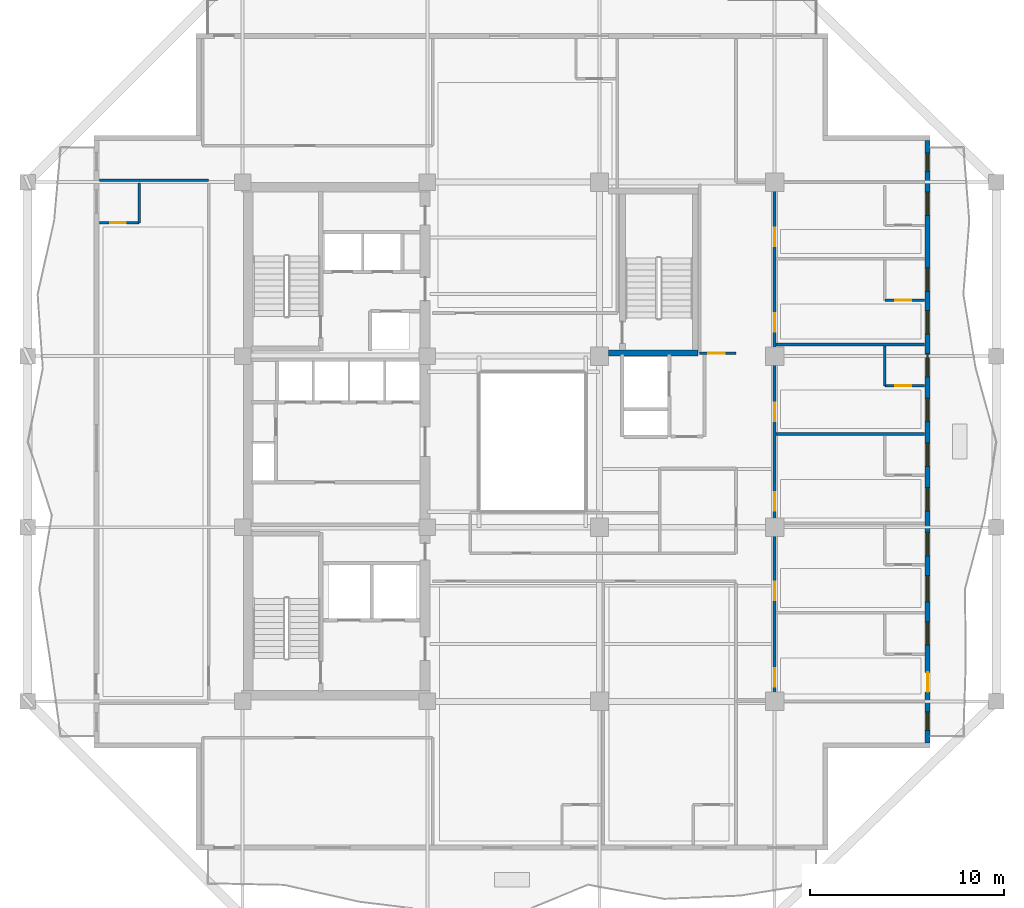
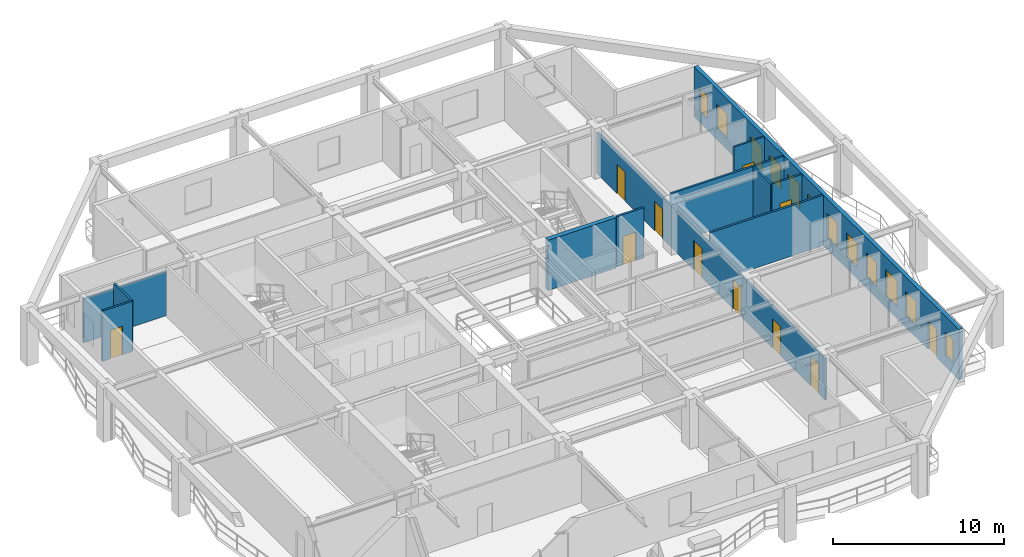
# One storey, part 5 of 13: 12 walls, 12 windows, 11 doors, 23 openings.
"""IFC4 building model written with IfcOpenShell, lengths in metres."""

from ifc_helpers import new_model, si_unit, direction, frame, frame_2d, origin, place, context, subcontext, project, spatial, rectangle, extrude, material, layer, layer_set, type_object, element, fill, save


model = new_model("IFC4")

# Units and contexts
model_context = context("Model", 3, precision=1e-05, world=origin(), true_north=direction((0.0, 1.0)))
body_context = subcontext(model_context, "Body", "Model", "MODEL_VIEW")
ifc_project = project(units=[si_unit("LENGTHUNIT", "METRE"), si_unit("AREAUNIT", "SQUARE_METRE"), si_unit("VOLUMEUNIT", "CUBIC_METRE"), si_unit("PLANEANGLEUNIT", "RADIAN"), si_unit("MASSUNIT", "GRAM", prefix="KILO")], contexts=[model_context])

# Site, building, storey
site_placement = place(None, origin())
site = spatial("IfcSite", under=ifc_project, at=site_placement, CompositionType="ELEMENT")
building_placement = place(site_placement, origin())
building = spatial("IfcBuilding", under=site, at=building_placement, Name="Kundavana Baori Tower", CompositionType="ELEMENT")
storey_placement = place(building_placement, frame((0.0, 0.0, 184.85009765625)))
storey = spatial("IfcBuildingStorey", under=building, at=storey_placement, Name="L45", CompositionType="ELEMENT", Elevation=184.85009765625)

# Wall, openings, door, windows
ifc_material_1 = material(Name="Kiln-Fired Terracotta Brick-Slip Masonry on Concrete C40/50", Category="masonry")
ifc_layer_1 = layer(ifc_material_1, 0.260009765625, Name="WL-EXT-BRK-260")
ifc_layer_set_1 = layer_set([ifc_layer_1], Name="Kiln-Fired Terracotta Brick-Slip Masonry on Concrete C40/50")
wall_type_1 = type_object("IfcWallType", Name="WL-EXT-BRK-260", PredefinedType="SOLIDWALL", material=ifc_layer_set_1)
wall_1_placement = place(storey_placement, frame((50.669921875, 13.110107421875, 0.0), z_axis=(0.0, 0.0, 1.0), x_axis=(0.0, 1.0, 0.0)))
wall_1 = element("IfcWall", 1, at=wall_1_placement, inside=storey, type_object=wall_type_1, Name="L45 Exterior Insulated Facade Wall 04", PredefinedType="SOLIDWALL", context=body_context, shape_type="SweptSolid", body=[
    extrude(rectangle(XDim=30.97998046875, YDim=0.260009765625, at=frame_2d((15.489990234375, 0.0))), origin(), (0.0, 0.0, 1.0), 3.599853515625),
])
opening_1_placement = place(wall_1_placement, frame((0.64990234375, 0.0, 0.800048828125)))
opening_1 = element("IfcOpeningElement", 2, at=opening_1_placement, cuts=wall_1, Name="Opening W-13", PredefinedType="OPENING", context=body_context, shape_type="SweptSolid", body=[
    extrude(rectangle(XDim=0.949951171875, YDim=1.64990234375, at=frame_2d((0.47509765625, 0.824951171875))), frame((0.0, 0.14013671875, 0.0), z_axis=(0.0, -1.0, 0.0), x_axis=(1.0, 0.0, 0.0)), (0.0, 0.0, 1.0), 0.280029296875),
])
opening_2_placement = place(wall_1_placement, frame((2.6298828125, 0.0, 0.0)))
opening_2 = element("IfcOpeningElement", 3, at=opening_2_placement, cuts=wall_1, Name="Opening BD-1", PredefinedType="OPENING", context=body_context, shape_type="SweptSolid", body=[
    extrude(rectangle(XDim=1.0, YDim=2.050048828125, at=frame_2d((0.5, 1.02490234375))), frame((0.0, 0.14013671875, 0.0), z_axis=(0.0, -1.0, 0.0), x_axis=(1.0, 0.0, 0.0)), (0.0, 0.0, 1.0), 0.280029296875),
])
opening_3_placement = place(wall_1_placement, frame((5.02490234375, 0.0, 0.800048828125)))
opening_3 = element("IfcOpeningElement", 4, at=opening_3_placement, cuts=wall_1, Name="Opening W-03", PredefinedType="OPENING", context=body_context, shape_type="SweptSolid", body=[
    extrude(rectangle(XDim=1.199951171875, YDim=1.75, at=frame_2d((0.60009765625, 0.875))), frame((0.0, 0.14013671875, 0.0), z_axis=(0.0, -1.0, 0.0), x_axis=(1.0, 0.0, 0.0)), (0.0, 0.0, 1.0), 0.280029296875),
])
opening_4_placement = place(wall_1_placement, frame((7.25, 0.0, 0.800048828125)))
opening_4 = element("IfcOpeningElement", 5, at=opening_4_placement, cuts=wall_1, Name="Opening W-07", PredefinedType="OPENING", context=body_context, shape_type="SweptSolid", body=[
    extrude(rectangle(XDim=1.35009765625, YDim=1.89990234375, at=frame_2d((0.675048828125, 0.949951171875))), frame((0.0, 0.14013671875, 0.0), z_axis=(0.0, -1.0, 0.0), x_axis=(1.0, 0.0, 0.0)), (0.0, 0.0, 1.0), 0.280029296875),
])
opening_5_placement = place(wall_1_placement, frame((9.625, 0.0, 0.800048828125)))
opening_5 = element("IfcOpeningElement", 6, at=opening_5_placement, cuts=wall_1, Name="Opening W-03", PredefinedType="OPENING", context=body_context, shape_type="SweptSolid", body=[
    extrude(rectangle(XDim=1.199951171875, YDim=1.75, at=frame_2d((0.60009765625, 0.875))), frame((0.0, 0.14013671875, 0.0), z_axis=(0.0, -1.0, 0.0), x_axis=(1.0, 0.0, 0.0)), (0.0, 0.0, 1.0), 0.280029296875),
])
opening_6_placement = place(wall_1_placement, frame((11.925048828125, 0.0, 0.800048828125)))
opening_6 = element("IfcOpeningElement", 7, at=opening_6_placement, cuts=wall_1, Name="Opening W-03", PredefinedType="OPENING", context=body_context, shape_type="SweptSolid", body=[
    extrude(rectangle(XDim=1.199951171875, YDim=1.75, at=frame_2d((0.60009765625, 0.875))), frame((0.0, 0.14013671875, 0.0), z_axis=(0.0, -1.0, 0.0), x_axis=(1.0, 0.0, 0.0)), (0.0, 0.0, 1.0), 0.280029296875),
])
opening_7_placement = place(wall_1_placement, frame((14.22509765625, 0.0, 0.800048828125)))
opening_7 = element("IfcOpeningElement", 8, at=opening_7_placement, cuts=wall_1, Name="Opening W-03", PredefinedType="OPENING", context=body_context, shape_type="SweptSolid", body=[
    extrude(rectangle(XDim=1.199951171875, YDim=1.75, at=frame_2d((0.60009765625, 0.875))), frame((0.0, 0.14013671875, 0.0), z_axis=(0.0, -1.0, 0.0), x_axis=(1.0, 0.0, 0.0)), (0.0, 0.0, 1.0), 0.280029296875),
])
opening_8_placement = place(wall_1_placement, frame((16.52490234375, 0.0, 0.800048828125)))
opening_8 = element("IfcOpeningElement", 9, at=opening_8_placement, cuts=wall_1, Name="Opening W-03", PredefinedType="OPENING", context=body_context, shape_type="SweptSolid", body=[
    extrude(rectangle(XDim=1.199951171875, YDim=1.75, at=frame_2d((0.60009765625, 0.875))), frame((0.0, 0.14013671875, 0.0), z_axis=(0.0, -1.0, 0.0), x_axis=(1.0, 0.0, 0.0)), (0.0, 0.0, 1.0), 0.280029296875),
])
opening_9_placement = place(wall_1_placement, frame((18.824951171875, 0.0, 0.800048828125)))
opening_9 = element("IfcOpeningElement", 10, at=opening_9_placement, cuts=wall_1, Name="Opening W-03", PredefinedType="OPENING", context=body_context, shape_type="SweptSolid", body=[
    extrude(rectangle(XDim=1.199951171875, YDim=1.75, at=frame_2d((0.60009765625, 0.875))), frame((0.0, 0.14013671875, 0.0), z_axis=(0.0, -1.0, 0.0), x_axis=(1.0, 0.0, 0.0)), (0.0, 0.0, 1.0), 0.280029296875),
])
opening_10_placement = place(wall_1_placement, frame((21.02490234375, 0.0, 0.800048828125)))
opening_10 = element("IfcOpeningElement", 11, at=opening_10_placement, cuts=wall_1, Name="Opening W-03", PredefinedType="OPENING", context=body_context, shape_type="SweptSolid", body=[
    extrude(rectangle(XDim=1.199951171875, YDim=1.75, at=frame_2d((0.60009765625, 0.875))), frame((0.0, 0.14013671875, 0.0), z_axis=(0.0, -1.0, 0.0), x_axis=(1.0, 0.0, 0.0)), (0.0, 0.0, 1.0), 0.280029296875),
])
opening_11_placement = place(wall_1_placement, frame((23.22509765625, 0.0, 0.800048828125)))
opening_11 = element("IfcOpeningElement", 12, at=opening_11_placement, cuts=wall_1, Name="Opening W-03", PredefinedType="OPENING", context=body_context, shape_type="SweptSolid", body=[
    extrude(rectangle(XDim=1.199951171875, YDim=1.75, at=frame_2d((0.60009765625, 0.875))), frame((0.0, 0.14013671875, 0.0), z_axis=(0.0, -1.0, 0.0), x_axis=(1.0, 0.0, 0.0)), (0.0, 0.0, 1.0), 0.280029296875),
])
opening_12_placement = place(wall_1_placement, frame((27.125, 0.0, 0.800048828125)))
opening_12 = element("IfcOpeningElement", 13, at=opening_12_placement, cuts=wall_1, Name="Opening W-03", PredefinedType="OPENING", context=body_context, shape_type="SweptSolid", body=[
    extrude(rectangle(XDim=1.199951171875, YDim=1.75, at=frame_2d((0.60009765625, 0.875))), frame((0.0, 0.14013671875, 0.0), z_axis=(0.0, -1.0, 0.0), x_axis=(1.0, 0.0, 0.0)), (0.0, 0.0, 1.0), 0.280029296875),
])
opening_13_placement = place(wall_1_placement, frame((29.3798828125, 0.0, 0.800048828125)))
opening_13 = element("IfcOpeningElement", 14, at=opening_13_placement, cuts=wall_1, Name="Opening W-13", PredefinedType="OPENING", context=body_context, shape_type="SweptSolid", body=[
    extrude(rectangle(XDim=0.949951171875, YDim=1.64990234375, at=frame_2d((0.47509765625, 0.824951171875))), frame((0.0, 0.14013671875, 0.0), z_axis=(0.0, -1.0, 0.0), x_axis=(1.0, 0.0, 0.0)), (0.0, 0.0, 1.0), 0.280029296875),
])
ifc_material_2 = material(Name="Architectural Patinated Bronze Metalwork")
door_type_1 = type_object("IfcDoorType", Name="DR-EXT-LOG-1000", OperationType="NOTDEFINED", PredefinedType="DOOR", material=ifc_material_2)
door_1_placement = place(opening_2_placement, frame((1.0, 0.0, 0.0), z_axis=(0.0, 0.0, 1.0), x_axis=(-1.0, 0.0, 0.0)))
door_1 = element("IfcDoor", 15, at=door_1_placement, inside=storey, type_object=door_type_1, Name="L45 Loggia Balcony Access Door E", OperationType="SINGLE_SWING_LEFT", OverallHeight=2.050048828125, OverallWidth=1.0, PredefinedType="DOOR", context=body_context, shape_type="SweptSolid", body=[
    extrude(rectangle(XDim=1.0, YDim=2.050048828125, at=frame_2d((0.5, 1.02490234375))), frame((0.0, 0.02490234375, 0.0), z_axis=(0.0, -1.0, 0.0), x_axis=(1.0, 0.0, 0.0)), (0.0, 0.0, 1.0), 0.050048828125),
])
fill(opening_2, door_1)
ifc_material_3 = material(Name="Double-Glazed Solar-Control Low-E Insulated Glass", Category="glass")
window_type_1 = type_object("IfcWindowType", Name="WIN-LOG-1200x1750", PartitioningType="SINGLE_PANEL", PredefinedType="WINDOW", material=ifc_material_3)
window_1_placement = place(opening_3_placement, origin())
window_1 = element("IfcWindow", 16, at=window_1_placement, inside=storey, type_object=window_type_1, Name="L45 Recessed Loggia Window E-3", OverallHeight=1.75, OverallWidth=1.199951171875, PartitioningType="SINGLE_PANEL", PredefinedType="WINDOW", context=body_context, shape_type="SweptSolid", body=[
    extrude(rectangle(XDim=1.199951171875, YDim=1.75, at=frame_2d((0.60009765625, 0.875))), frame((0.0, 0.030029296875, 0.0), z_axis=(0.0, -1.0, 0.0), x_axis=(1.0, 0.0, 0.0)), (0.0, 0.0, 1.0), 0.06005859375),
])
fill(opening_3, window_1)
window_2_placement = place(opening_5_placement, origin())
window_2 = element("IfcWindow", 17, at=window_2_placement, inside=storey, type_object=window_type_1, Name="L45 Recessed Loggia Window E-5", OverallHeight=1.75, OverallWidth=1.199951171875, PartitioningType="SINGLE_PANEL", PredefinedType="WINDOW", context=body_context, shape_type="SweptSolid", body=[
    extrude(rectangle(XDim=1.199951171875, YDim=1.75, at=frame_2d((0.60009765625, 0.875))), frame((0.0, 0.030029296875, 0.0), z_axis=(0.0, -1.0, 0.0), x_axis=(1.0, 0.0, 0.0)), (0.0, 0.0, 1.0), 0.06005859375),
])
fill(opening_5, window_2)
window_3_placement = place(opening_6_placement, origin())
window_3 = element("IfcWindow", 18, at=window_3_placement, inside=storey, type_object=window_type_1, Name="L45 Recessed Loggia Window E-6", OverallHeight=1.75, OverallWidth=1.199951171875, PartitioningType="SINGLE_PANEL", PredefinedType="WINDOW", context=body_context, shape_type="SweptSolid", body=[
    extrude(rectangle(XDim=1.199951171875, YDim=1.75, at=frame_2d((0.60009765625, 0.875))), frame((0.0, 0.030029296875, 0.0), z_axis=(0.0, -1.0, 0.0), x_axis=(1.0, 0.0, 0.0)), (0.0, 0.0, 1.0), 0.06005859375),
])
fill(opening_6, window_3)
window_4_placement = place(opening_7_placement, origin())
window_4 = element("IfcWindow", 19, at=window_4_placement, inside=storey, type_object=window_type_1, Name="L45 Recessed Loggia Window E-7", OverallHeight=1.75, OverallWidth=1.199951171875, PartitioningType="SINGLE_PANEL", PredefinedType="WINDOW", context=body_context, shape_type="SweptSolid", body=[
    extrude(rectangle(XDim=1.199951171875, YDim=1.75, at=frame_2d((0.60009765625, 0.875))), frame((0.0, 0.030029296875, 0.0), z_axis=(0.0, -1.0, 0.0), x_axis=(1.0, 0.0, 0.0)), (0.0, 0.0, 1.0), 0.06005859375),
])
fill(opening_7, window_4)
window_5_placement = place(opening_8_placement, origin())
window_5 = element("IfcWindow", 20, at=window_5_placement, inside=storey, type_object=window_type_1, Name="L45 Recessed Loggia Window E-8", OverallHeight=1.75, OverallWidth=1.199951171875, PartitioningType="SINGLE_PANEL", PredefinedType="WINDOW", context=body_context, shape_type="SweptSolid", body=[
    extrude(rectangle(XDim=1.199951171875, YDim=1.75, at=frame_2d((0.60009765625, 0.875))), frame((0.0, 0.030029296875, 0.0), z_axis=(0.0, -1.0, 0.0), x_axis=(1.0, 0.0, 0.0)), (0.0, 0.0, 1.0), 0.06005859375),
])
fill(opening_8, window_5)
window_6_placement = place(opening_9_placement, origin())
window_6 = element("IfcWindow", 21, at=window_6_placement, inside=storey, type_object=window_type_1, Name="L45 Recessed Loggia Window E-9", OverallHeight=1.75, OverallWidth=1.199951171875, PartitioningType="SINGLE_PANEL", PredefinedType="WINDOW", context=body_context, shape_type="SweptSolid", body=[
    extrude(rectangle(XDim=1.199951171875, YDim=1.75, at=frame_2d((0.60009765625, 0.875))), frame((0.0, 0.030029296875, 0.0), z_axis=(0.0, -1.0, 0.0), x_axis=(1.0, 0.0, 0.0)), (0.0, 0.0, 1.0), 0.06005859375),
])
fill(opening_9, window_6)
window_7_placement = place(opening_10_placement, origin())
window_7 = element("IfcWindow", 22, at=window_7_placement, inside=storey, type_object=window_type_1, Name="L45 Recessed Loggia Window E-10", OverallHeight=1.75, OverallWidth=1.199951171875, PartitioningType="SINGLE_PANEL", PredefinedType="WINDOW", context=body_context, shape_type="SweptSolid", body=[
    extrude(rectangle(XDim=1.199951171875, YDim=1.75, at=frame_2d((0.60009765625, 0.875))), frame((0.0, 0.030029296875, 0.0), z_axis=(0.0, -1.0, 0.0), x_axis=(1.0, 0.0, 0.0)), (0.0, 0.0, 1.0), 0.06005859375),
])
fill(opening_10, window_7)
window_8_placement = place(opening_11_placement, origin())
window_8 = element("IfcWindow", 23, at=window_8_placement, inside=storey, type_object=window_type_1, Name="L45 Recessed Loggia Window E-11", OverallHeight=1.75, OverallWidth=1.199951171875, PartitioningType="SINGLE_PANEL", PredefinedType="WINDOW", context=body_context, shape_type="SweptSolid", body=[
    extrude(rectangle(XDim=1.199951171875, YDim=1.75, at=frame_2d((0.60009765625, 0.875))), frame((0.0, 0.030029296875, 0.0), z_axis=(0.0, -1.0, 0.0), x_axis=(1.0, 0.0, 0.0)), (0.0, 0.0, 1.0), 0.06005859375),
])
fill(opening_11, window_8)
window_9_placement = place(opening_12_placement, origin())
window_9 = element("IfcWindow", 24, at=window_9_placement, inside=storey, type_object=window_type_1, Name="L45 Recessed Loggia Window E-12", OverallHeight=1.75, OverallWidth=1.199951171875, PartitioningType="SINGLE_PANEL", PredefinedType="WINDOW", context=body_context, shape_type="SweptSolid", body=[
    extrude(rectangle(XDim=1.199951171875, YDim=1.75, at=frame_2d((0.60009765625, 0.875))), frame((0.0, 0.030029296875, 0.0), z_axis=(0.0, -1.0, 0.0), x_axis=(1.0, 0.0, 0.0)), (0.0, 0.0, 1.0), 0.06005859375),
])
fill(opening_12, window_9)
ifc_material_4 = material(Name="Double-Glazed Solar-Control Low-E Insulated Glass", Category="glass")
window_type_2 = type_object("IfcWindowType", Name="WIN-LOG-1350x1900", PartitioningType="SINGLE_PANEL", PredefinedType="WINDOW", material=ifc_material_4)
window_10_placement = place(opening_4_placement, origin())
window_10 = element("IfcWindow", 25, at=window_10_placement, inside=storey, type_object=window_type_2, Name="L45 Recessed Loggia Window E-4", OverallHeight=1.89990234375, OverallWidth=1.35009765625, PartitioningType="SINGLE_PANEL", PredefinedType="WINDOW", context=body_context, shape_type="SweptSolid", body=[
    extrude(rectangle(XDim=1.35009765625, YDim=1.89990234375, at=frame_2d((0.675048828125, 0.949951171875))), frame((0.0, 0.030029296875, 0.0), z_axis=(0.0, -1.0, 0.0), x_axis=(1.0, 0.0, 0.0)), (0.0, 0.0, 1.0), 0.06005859375),
])
fill(opening_4, window_10)
ifc_material_5 = material(Name="Double-Glazed Solar-Control Low-E Insulated Glass", Category="glass")
window_type_3 = type_object("IfcWindowType", Name="WIN-LOG-950x1650", PartitioningType="SINGLE_PANEL", PredefinedType="WINDOW", material=ifc_material_5)
window_11_placement = place(opening_1_placement, origin())
window_11 = element("IfcWindow", 26, at=window_11_placement, inside=storey, type_object=window_type_3, Name="L45 Recessed Loggia Window E-1", OverallHeight=1.64990234375, OverallWidth=0.949951171875, PartitioningType="SINGLE_PANEL", PredefinedType="WINDOW", context=body_context, shape_type="SweptSolid", body=[
    extrude(rectangle(XDim=0.949951171875, YDim=1.64990234375, at=frame_2d((0.47509765625, 0.824951171875))), frame((0.0, 0.030029296875, 0.0), z_axis=(0.0, -1.0, 0.0), x_axis=(1.0, 0.0, 0.0)), (0.0, 0.0, 1.0), 0.06005859375),
])
fill(opening_1, window_11)
window_12_placement = place(opening_13_placement, origin())
window_12 = element("IfcWindow", 27, at=window_12_placement, inside=storey, type_object=window_type_3, Name="L45 Recessed Loggia Window E-13", OverallHeight=1.64990234375, OverallWidth=0.949951171875, PartitioningType="SINGLE_PANEL", PredefinedType="WINDOW", context=body_context, shape_type="SweptSolid", body=[
    extrude(rectangle(XDim=0.949951171875, YDim=1.64990234375, at=frame_2d((0.47509765625, 0.824951171875))), frame((0.0, 0.030029296875, 0.0), z_axis=(0.0, -1.0, 0.0), x_axis=(1.0, 0.0, 0.0)), (0.0, 0.0, 1.0), 0.06005859375),
])
fill(opening_13, window_12)

# Wall, openings, doors
ifc_material_6 = material(Name="Acoustic Gypsum Plasterboard on Galvanised Steel Studs", Category="steel")
ifc_layer_2 = layer(ifc_material_6, 0.135009765625, Name="WL-PART-135")
ifc_layer_set_2 = layer_set([ifc_layer_2], Name="Acoustic Gypsum Plasterboard on Galvanised Steel Studs")
wall_type_2 = type_object("IfcWallType", Name="WL-PART-135", PredefinedType="PARTITIONING", material=ifc_layer_set_2)
wall_2_placement = place(storey_placement, frame((42.800048828125, 15.25, 0.0), z_axis=(0.0, 0.0, 1.0), x_axis=(0.0, 1.0, 0.0)))
wall_2 = element("IfcWall", 28, at=wall_2_placement, inside=storey, type_object=wall_type_2, Name="WL-L45-HE", PredefinedType="PARTITIONING", context=body_context, shape_type="SweptSolid", body=[
    extrude(rectangle(XDim=26.699951171875, YDim=0.135009765625, at=frame_2d((13.35009765625, 0.0))), origin(), (0.0, 0.0, 1.0), 2.949951171875),
])
opening_14_placement = place(wall_2_placement, frame((0.75, 0.0, 0.0)))
opening_14 = element("IfcOpeningElement", 29, at=opening_14_placement, cuts=wall_2, Name="Opening FD-095", PredefinedType="OPENING", context=body_context, shape_type="SweptSolid", body=[
    extrude(rectangle(XDim=0.949951171875, YDim=2.10009765625, at=frame_2d((0.47509765625, 1.050048828125))), frame((0.0, 0.07763671875, 0.0), z_axis=(0.0, -1.0, 0.0), x_axis=(1.0, 0.0, 0.0)), (0.0, 0.0, 1.0), 0.155029296875),
])
opening_15_placement = place(wall_2_placement, frame((5.199951171875, 0.0, 0.0)))
opening_15 = element("IfcOpeningElement", 30, at=opening_15_placement, cuts=wall_2, Name="Opening FD-095", PredefinedType="OPENING", context=body_context, shape_type="SweptSolid", body=[
    extrude(rectangle(XDim=0.949951171875, YDim=2.10009765625, at=frame_2d((0.47509765625, 1.050048828125))), frame((0.0, 0.07763671875, 0.0), z_axis=(0.0, -1.0, 0.0), x_axis=(1.0, 0.0, 0.0)), (0.0, 0.0, 1.0), 0.155029296875),
])
opening_16_placement = place(wall_2_placement, frame((9.800048828125, 0.0, 0.0)))
opening_16 = element("IfcOpeningElement", 31, at=opening_16_placement, cuts=wall_2, Name="Opening FD-095", PredefinedType="OPENING", context=body_context, shape_type="SweptSolid", body=[
    extrude(rectangle(XDim=0.949951171875, YDim=2.10009765625, at=frame_2d((0.47509765625, 1.050048828125))), frame((0.0, 0.07763671875, 0.0), z_axis=(0.0, -1.0, 0.0), x_axis=(1.0, 0.0, 0.0)), (0.0, 0.0, 1.0), 0.155029296875),
])
opening_17_placement = place(wall_2_placement, frame((14.39990234375, 0.0, 0.0)))
opening_17 = element("IfcOpeningElement", 32, at=opening_17_placement, cuts=wall_2, Name="Opening FD-095", PredefinedType="OPENING", context=body_context, shape_type="SweptSolid", body=[
    extrude(rectangle(XDim=0.949951171875, YDim=2.10009765625, at=frame_2d((0.47509765625, 1.050048828125))), frame((0.0, 0.07763671875, 0.0), z_axis=(0.0, -1.0, 0.0), x_axis=(1.0, 0.0, 0.0)), (0.0, 0.0, 1.0), 0.155029296875),
])
opening_18_placement = place(wall_2_placement, frame((19.0, 0.0, 0.0)))
opening_18 = element("IfcOpeningElement", 33, at=opening_18_placement, cuts=wall_2, Name="Opening FD-095", PredefinedType="OPENING", context=body_context, shape_type="SweptSolid", body=[
    extrude(rectangle(XDim=0.949951171875, YDim=2.10009765625, at=frame_2d((0.47509765625, 1.050048828125))), frame((0.0, 0.07763671875, 0.0), z_axis=(0.0, -1.0, 0.0), x_axis=(1.0, 0.0, 0.0)), (0.0, 0.0, 1.0), 0.155029296875),
])
opening_19_placement = place(wall_2_placement, frame((23.39990234375, 0.0, 0.0)))
opening_19 = element("IfcOpeningElement", 34, at=opening_19_placement, cuts=wall_2, Name="Opening FD-095", PredefinedType="OPENING", context=body_context, shape_type="SweptSolid", body=[
    extrude(rectangle(XDim=0.949951171875, YDim=2.10009765625, at=frame_2d((0.47509765625, 1.050048828125))), frame((0.0, 0.07763671875, 0.0), z_axis=(0.0, -1.0, 0.0), x_axis=(1.0, 0.0, 0.0)), (0.0, 0.0, 1.0), 0.155029296875),
])
ifc_material_7 = material(Name="Engineered Teak Fire-Rated Timber Door Leaf", Category="wood")
door_type_2 = type_object("IfcDoorType", Name="DR-FD60-950", OperationType="NOTDEFINED", PredefinedType="DOOR", material=ifc_material_7)
door_2_placement = place(opening_14_placement, origin())
door_2 = element("IfcDoor", 35, at=door_2_placement, inside=storey, type_object=door_type_2, Name="DR-L45-HK-E1-ENT", OperationType="SINGLE_SWING_LEFT", OverallHeight=2.10009765625, OverallWidth=0.949951171875, PredefinedType="DOOR", context=body_context, shape_type="SweptSolid", body=[
    extrude(rectangle(XDim=0.949951171875, YDim=2.10009765625, at=frame_2d((0.47509765625, 1.050048828125))), frame((0.0, 0.02490234375, 0.0), z_axis=(0.0, -1.0, 0.0), x_axis=(1.0, 0.0, 0.0)), (0.0, 0.0, 1.0), 0.050048828125),
])
fill(opening_14, door_2)
door_3_placement = place(opening_15_placement, origin())
door_3 = element("IfcDoor", 36, at=door_3_placement, inside=storey, type_object=door_type_2, Name="DR-L45-HK-E2-ENT", OperationType="SINGLE_SWING_LEFT", OverallHeight=2.10009765625, OverallWidth=0.949951171875, PredefinedType="DOOR", context=body_context, shape_type="SweptSolid", body=[
    extrude(rectangle(XDim=0.949951171875, YDim=2.10009765625, at=frame_2d((0.47509765625, 1.050048828125))), frame((0.0, 0.02490234375, 0.0), z_axis=(0.0, -1.0, 0.0), x_axis=(1.0, 0.0, 0.0)), (0.0, 0.0, 1.0), 0.050048828125),
])
fill(opening_15, door_3)
door_4_placement = place(opening_16_placement, origin())
door_4 = element("IfcDoor", 37, at=door_4_placement, inside=storey, type_object=door_type_2, Name="DR-L45-HK-E3-ENT", OperationType="SINGLE_SWING_LEFT", OverallHeight=2.10009765625, OverallWidth=0.949951171875, PredefinedType="DOOR", context=body_context, shape_type="SweptSolid", body=[
    extrude(rectangle(XDim=0.949951171875, YDim=2.10009765625, at=frame_2d((0.47509765625, 1.050048828125))), frame((0.0, 0.02490234375, 0.0), z_axis=(0.0, -1.0, 0.0), x_axis=(1.0, 0.0, 0.0)), (0.0, 0.0, 1.0), 0.050048828125),
])
fill(opening_16, door_4)
door_5_placement = place(opening_17_placement, origin())
door_5 = element("IfcDoor", 38, at=door_5_placement, inside=storey, type_object=door_type_2, Name="DR-L45-HK-E4-ENT", OperationType="SINGLE_SWING_LEFT", OverallHeight=2.10009765625, OverallWidth=0.949951171875, PredefinedType="DOOR", context=body_context, shape_type="SweptSolid", body=[
    extrude(rectangle(XDim=0.949951171875, YDim=2.10009765625, at=frame_2d((0.47509765625, 1.050048828125))), frame((0.0, 0.02490234375, 0.0), z_axis=(0.0, -1.0, 0.0), x_axis=(1.0, 0.0, 0.0)), (0.0, 0.0, 1.0), 0.050048828125),
])
fill(opening_17, door_5)
door_6_placement = place(opening_18_placement, origin())
door_6 = element("IfcDoor", 39, at=door_6_placement, inside=storey, type_object=door_type_2, Name="DR-L45-HK-E5-ENT", OperationType="SINGLE_SWING_LEFT", OverallHeight=2.10009765625, OverallWidth=0.949951171875, PredefinedType="DOOR", context=body_context, shape_type="SweptSolid", body=[
    extrude(rectangle(XDim=0.949951171875, YDim=2.10009765625, at=frame_2d((0.47509765625, 1.050048828125))), frame((0.0, 0.02490234375, 0.0), z_axis=(0.0, -1.0, 0.0), x_axis=(1.0, 0.0, 0.0)), (0.0, 0.0, 1.0), 0.050048828125),
])
fill(opening_18, door_6)
door_7_placement = place(opening_19_placement, origin())
door_7 = element("IfcDoor", 40, at=door_7_placement, inside=storey, type_object=door_type_2, Name="DR-L45-HK-E6-ENT", OperationType="SINGLE_SWING_LEFT", OverallHeight=2.10009765625, OverallWidth=0.949951171875, PredefinedType="DOOR", context=body_context, shape_type="SweptSolid", body=[
    extrude(rectangle(XDim=0.949951171875, YDim=2.10009765625, at=frame_2d((0.47509765625, 1.050048828125))), frame((0.0, 0.02490234375, 0.0), z_axis=(0.0, -1.0, 0.0), x_axis=(1.0, 0.0, 0.0)), (0.0, 0.0, 1.0), 0.050048828125),
])
fill(opening_19, door_7)

# Walls
wall_3_placement = place(storey_placement, frame((8.080078125, 42.0400390625, 0.0), z_axis=(0.0, 0.0, 1.0), x_axis=(1.0, 0.0, 0.0)))
element("IfcWall", 41, at=wall_3_placement, inside=storey, type_object=wall_type_2, Name="WL-L45-HWN", PredefinedType="PARTITIONING", context=body_context, shape_type="SweptSolid", body=[
    extrude(rectangle(XDim=5.619873046875, YDim=0.135009765625, at=frame_2d((2.81005859375, 0.0))), origin(), (0.0, 0.0, 1.0), 3.14990234375),
])
for number, where, z_axis, x_axis, name in (
    (42, (42.8798828125, 29.0, 0.0), (0.0, 0.0, 1.0), (1.0, 0.0, 0.0), "WL-L45-HED3"),
    (43, (42.8798828125, 33.60009765625, 0.0), (0.0, 0.0, 1.0), (1.0, 0.0, 0.0), "WL-L45-HED4"),
):
    element("IfcWall", number, at=place(storey_placement, frame(where, z_axis=z_axis, x_axis=x_axis)), inside=storey, type_object=wall_type_2, Name=name, PredefinedType="PARTITIONING", context=body_context, shape_type="SweptSolid", body=[
        extrude(rectangle(XDim=7.64013671875, YDim=0.135009765625, at=frame_2d((3.820068359375, 0.0))), origin(), (0.0, 0.0, 1.0), 3.599853515625),
    ])

# Wall, opening, door
wall_4_placement = place(storey_placement, frame((38.949951171875, 33.14990234375, 0.0), z_axis=(0.0, 0.0, 1.0), x_axis=(1.0, 0.0, 0.0)))
wall_4 = element("IfcWall", 44, at=wall_4_placement, inside=storey, type_object=wall_type_2, Name="WL-L45-HNES", PredefinedType="PARTITIONING", context=body_context, shape_type="SweptSolid", body=[
    extrude(rectangle(XDim=1.8701171875, YDim=0.135009765625, at=frame_2d((0.93505859375, 0.0))), origin(), (0.0, 0.0, 1.0), 3.599853515625),
])
opening_20_placement = place(wall_4_placement, frame((0.449951171875, 0.0, 0.0)))
opening_20 = element("IfcOpeningElement", 45, at=opening_20_placement, cuts=wall_4, Name="Opening WD-085", PredefinedType="OPENING", context=body_context, shape_type="SweptSolid", body=[
    extrude(rectangle(XDim=0.85009765625, YDim=2.050048828125, at=frame_2d((0.425048828125, 1.02490234375))), frame((0.0, 0.07763671875, 0.0), z_axis=(0.0, -1.0, 0.0), x_axis=(1.0, 0.0, 0.0)), (0.0, 0.0, 1.0), 0.155029296875),
])
ifc_material_8 = material(Name="Engineered Teak Solid-Core Timber Veneer", Category="wood")
door_type_3 = type_object("IfcDoorType", Name="DR-WET-850", OperationType="NOTDEFINED", PredefinedType="DOOR", material=ifc_material_8)
door_8_placement = place(opening_20_placement, origin())
door_8 = element("IfcDoor", 46, at=door_8_placement, inside=storey, type_object=door_type_3, Name="DR-L45-HLNE", OperationType="SINGLE_SWING_LEFT", OverallHeight=2.050048828125, OverallWidth=0.85009765625, PredefinedType="DOOR", context=body_context, shape_type="SweptSolid", body=[
    extrude(rectangle(XDim=0.85009765625, YDim=2.050048828125, at=frame_2d((0.425048828125, 1.02490234375))), frame((0.0, 0.02490234375, 0.0), z_axis=(0.0, -1.0, 0.0), x_axis=(1.0, 0.0, 0.0)), (0.0, 0.0, 1.0), 0.050048828125),
])
fill(opening_20, door_8)

# Walls
ifc_material_9 = material(Name="Concrete C50/60", Category="concrete")
ifc_layer_3 = layer(ifc_material_9, 0.300048828125, Name="WL-ST3-300")
ifc_layer_set_3 = layer_set([ifc_layer_3], Name="Concrete C50/60")
wall_type_3 = type_object("IfcWallType", Name="WL-ST3-300", PredefinedType="SHEAR", material=ifc_layer_set_3)
wall_5_placement = place(storey_placement, frame((34.27490234375, 33.159912109375, 0.0), z_axis=(0.0, 0.0, 1.0), x_axis=(1.0, 0.0, 0.0)))
element("IfcWall", 47, at=wall_5_placement, inside=storey, type_object=wall_type_3, Name="L45 Stair ST3 South Shear Wall", PredefinedType="SHEAR", context=body_context, shape_type="SweptSolid", body=[
    extrude(rectangle(XDim=4.59521484375, YDim=0.300048828125, at=frame_2d((2.297607421875, 0.0))), origin(), (0.0, 0.0, 1.0), 3.599853515625),
])
ifc_material_10 = material(Name="Autoclaved Aerated Concrete Blockwork Masonry", Category="masonry")
ifc_layer_4 = layer(ifc_material_10, 0.125, Name="WL-WET-120")
ifc_layer_set_4 = layer_set([ifc_layer_4], Name="Autoclaved Aerated Concrete Blockwork Masonry")
wall_type_4 = type_object("IfcWallType", Name="WL-WET-120", PredefinedType="PLUMBINGWALL", material=ifc_layer_set_4)
wall_6_placement = place(storey_placement, frame((10.1298828125, 39.85009765625, 0.0), z_axis=(0.0, 0.0, 1.0), x_axis=(0.0, 1.0, 0.0)))
element("IfcWall", 48, at=wall_6_placement, inside=storey, type_object=wall_type_4, Name="WL-L45-HK-W1-BE", PredefinedType="PLUMBINGWALL", context=body_context, shape_type="SweptSolid", body=[
    extrude(rectangle(XDim=2.0498046875, YDim=0.125, at=frame_2d((1.02490234375, 0.0))), origin(), (0.0, 0.0, 1.0), 3.599853515625),
])

# Wall, opening, door
wall_7_placement = place(storey_placement, frame((8.080078125, 39.85009765625, 0.0), z_axis=(0.0, 0.0, 1.0), x_axis=(1.0, 0.0, 0.0)))
wall_7 = element("IfcWall", 49, at=wall_7_placement, inside=storey, type_object=wall_type_4, Name="WL-L45-HK-W1-BS", PredefinedType="PLUMBINGWALL", context=body_context, shape_type="SweptSolid", body=[
    extrude(rectangle(XDim=2.0498046875, YDim=0.125, at=frame_2d((1.02490234375, 0.0))), origin(), (0.0, 0.0, 1.0), 3.599853515625),
])
opening_21_placement = place(wall_7_placement, frame((0.550048828125, 0.0, 0.0)))
opening_21 = element("IfcOpeningElement", 50, at=opening_21_placement, cuts=wall_7, Name="Opening WD-080", PredefinedType="OPENING", context=body_context, shape_type="SweptSolid", body=[
    extrude(rectangle(XDim=0.800048828125, YDim=2.050048828125, at=frame_2d((0.39990234375, 1.02490234375))), frame((0.0, 0.072509765625, 0.0), z_axis=(0.0, -1.0, 0.0), x_axis=(1.0, 0.0, 0.0)), (0.0, 0.0, 1.0), 0.14501953125),
])
ifc_material_11 = material(Name="Engineered Teak Solid-Core Timber Veneer", Category="wood")
door_type_4 = type_object("IfcDoorType", Name="DR-WET-800", OperationType="NOTDEFINED", PredefinedType="DOOR", material=ifc_material_11)
door_9_placement = place(opening_21_placement, frame((0.800048828125, 0.0, 0.0), z_axis=(0.0, 0.0, 1.0), x_axis=(-1.0, 0.0, 0.0)))
door_9 = element("IfcDoor", 51, at=door_9_placement, inside=storey, type_object=door_type_4, Name="DR-L45-HK-W1-ENS", OperationType="SINGLE_SWING_LEFT", OverallHeight=2.050048828125, OverallWidth=0.800048828125, PredefinedType="DOOR", context=body_context, shape_type="SweptSolid", body=[
    extrude(rectangle(XDim=0.800048828125, YDim=2.050048828125, at=frame_2d((0.39990234375, 1.02490234375))), frame((0.0, 0.02490234375, 0.0), z_axis=(0.0, -1.0, 0.0), x_axis=(1.0, 0.0, 0.0)), (0.0, 0.0, 1.0), 0.050048828125),
])
fill(opening_21, door_9)

# Wall
wall_8_placement = place(storey_placement, frame((48.469970703125, 31.469970703125, 0.0), z_axis=(0.0, 0.0, 1.0), x_axis=(0.0, 1.0, 0.0)))
element("IfcWall", 52, at=wall_8_placement, inside=storey, type_object=wall_type_4, Name="WL-L45-HK-E4-BW", PredefinedType="PLUMBINGWALL", context=body_context, shape_type="SweptSolid", body=[
    extrude(rectangle(XDim=2.050048828125, YDim=0.125, at=frame_2d((1.02490234375, 0.0))), origin(), (0.0, 0.0, 1.0), 3.599853515625),
])

# Wall, opening, door
wall_9_placement = place(storey_placement, frame((48.469970703125, 31.469970703125, 0.0), z_axis=(0.0, 0.0, 1.0), x_axis=(1.0, 0.0, 0.0)))
wall_9 = element("IfcWall", 53, at=wall_9_placement, inside=storey, type_object=wall_type_4, Name="WL-L45-HK-E4-BS", PredefinedType="PLUMBINGWALL", context=body_context, shape_type="SweptSolid", body=[
    extrude(rectangle(XDim=2.050048828125, YDim=0.125, at=frame_2d((1.02490234375, 0.0))), origin(), (0.0, 0.0, 1.0), 3.599853515625),
])
opening_22_placement = place(wall_9_placement, frame((0.550048828125, 0.0, 0.0)))
opening_22 = element("IfcOpeningElement", 54, at=opening_22_placement, cuts=wall_9, Name="Opening WD-080", PredefinedType="OPENING", context=body_context, shape_type="SweptSolid", body=[
    extrude(rectangle(XDim=0.800048828125, YDim=2.050048828125, at=frame_2d((0.39990234375, 1.02490234375))), frame((0.0, 0.072509765625, 0.0), z_axis=(0.0, -1.0, 0.0), x_axis=(1.0, 0.0, 0.0)), (0.0, 0.0, 1.0), 0.14501953125),
])
door_10_placement = place(opening_22_placement, frame((0.800048828125, 0.0, 0.0), z_axis=(0.0, 0.0, 1.0), x_axis=(-1.0, 0.0, 0.0)))
door_10 = element("IfcDoor", 55, at=door_10_placement, inside=storey, type_object=door_type_4, Name="DR-L45-HK-E4-ENS", OperationType="SINGLE_SWING_LEFT", OverallHeight=2.050048828125, OverallWidth=0.800048828125, PredefinedType="DOOR", context=body_context, shape_type="SweptSolid", body=[
    extrude(rectangle(XDim=0.800048828125, YDim=2.050048828125, at=frame_2d((0.39990234375, 1.02490234375))), frame((0.0, 0.02490234375, 0.0), z_axis=(0.0, -1.0, 0.0), x_axis=(1.0, 0.0, 0.0)), (0.0, 0.0, 1.0), 0.050048828125),
])
fill(opening_22, door_10)

wall_10_placement = place(storey_placement, frame((48.469970703125, 35.8701171875, 0.0), z_axis=(0.0, 0.0, 1.0), x_axis=(1.0, 0.0, 0.0)))
wall_10 = element("IfcWall", 56, at=wall_10_placement, inside=storey, type_object=wall_type_4, Name="WL-L45-HK-E5-BS", PredefinedType="PLUMBINGWALL", context=body_context, shape_type="SweptSolid", body=[
    extrude(rectangle(XDim=2.050048828125, YDim=0.125, at=frame_2d((1.02490234375, 0.0))), origin(), (0.0, 0.0, 1.0), 3.599853515625),
])
opening_23_placement = place(wall_10_placement, frame((0.550048828125, 0.0, 0.0)))
opening_23 = element("IfcOpeningElement", 57, at=opening_23_placement, cuts=wall_10, Name="Opening WD-080", PredefinedType="OPENING", context=body_context, shape_type="SweptSolid", body=[
    extrude(rectangle(XDim=0.800048828125, YDim=2.050048828125, at=frame_2d((0.39990234375, 1.02490234375))), frame((0.0, 0.072509765625, 0.0), z_axis=(0.0, -1.0, 0.0), x_axis=(1.0, 0.0, 0.0)), (0.0, 0.0, 1.0), 0.14501953125),
])
door_11_placement = place(opening_23_placement, frame((0.800048828125, 0.0, 0.0), z_axis=(0.0, 0.0, 1.0), x_axis=(-1.0, 0.0, 0.0)))
door_11 = element("IfcDoor", 58, at=door_11_placement, inside=storey, type_object=door_type_4, Name="DR-L45-HK-E5-ENS", OperationType="SINGLE_SWING_LEFT", OverallHeight=2.050048828125, OverallWidth=0.800048828125, PredefinedType="DOOR", context=body_context, shape_type="SweptSolid", body=[
    extrude(rectangle(XDim=0.800048828125, YDim=2.050048828125, at=frame_2d((0.39990234375, 1.02490234375))), frame((0.0, 0.02490234375, 0.0), z_axis=(0.0, -1.0, 0.0), x_axis=(1.0, 0.0, 0.0)), (0.0, 0.0, 1.0), 0.050048828125),
])
fill(opening_23, door_11)

save(model, "model.ifc")
